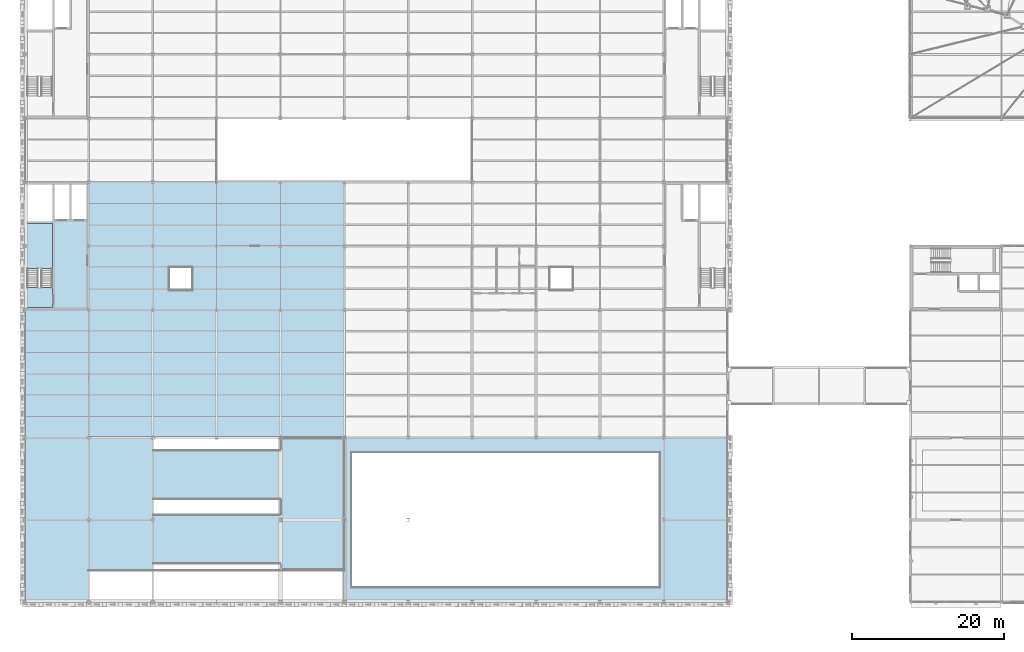
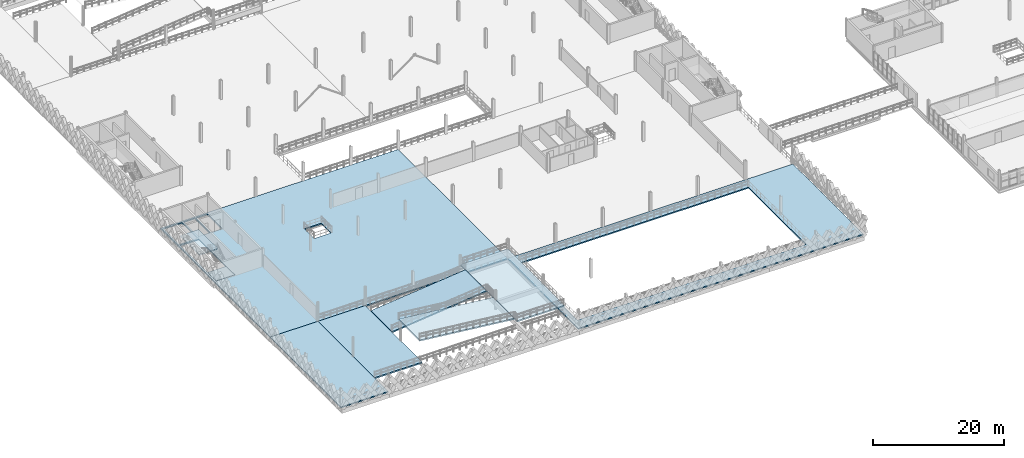
# One storey, part 65 of 101: 9 slabs, 1 element without a shape of its own.
"""IFC4 building model written with IfcOpenShell, lengths in metres."""

from ifc_helpers import new_model, si_unit, direction, frame, origin, place, context, subcontext, project, spatial, polyline, outline, extrude, material, layer, layer_set, type_object, element, aggregate, save


model = new_model("IFC4")

# Units and contexts
model_context = context("Model", 3, precision=1e-05, world=origin(), true_north=direction((0.0, 1.0)))
body_context = subcontext(model_context, "Body", "Model", "MODEL_VIEW")
ifc_project = project(units=[si_unit("LENGTHUNIT", "METRE"), si_unit("AREAUNIT", "SQUARE_METRE"), si_unit("VOLUMEUNIT", "CUBIC_METRE"), si_unit("PLANEANGLEUNIT", "RADIAN"), si_unit("MASSUNIT", "GRAM", prefix="KILO"), si_unit("THERMODYNAMICTEMPERATUREUNIT", "KELVIN"), si_unit("POWERUNIT", "WATT")], contexts=[model_context])

# Site, building, storey
site_placement = place(None, origin())
site = spatial("IfcSite", under=ifc_project, at=site_placement, CompositionType="ELEMENT")
building_placement = place(site_placement, origin())
building = spatial("IfcBuilding", under=site, at=building_placement, Name="Tembeka Court Mobility Hub", CompositionType="ELEMENT")
storey_placement = place(building_placement, frame((0.0, 0.0, 5.39990234375)))
storey = spatial("IfcBuildingStorey", under=building, at=storey_placement, Name="L01", CompositionType="ELEMENT", Elevation=5.39990234375)

# Slabs
ifc_material = material(Name="Concrete C40/50", Category="concrete")
ifc_layer_1 = layer(ifc_material, 0.219970703125)
ifc_layer_set_1 = layer_set([ifc_layer_1], Name="Concrete C40/50")
slab_type_1 = type_object("IfcSlabType", Name="SL-FL02", PredefinedType="FLOOR", material=ifc_layer_set_1)
slab_1_placement = place(storey_placement, frame((0.0, 0.0, -0.219970703125)))
element("IfcSlab", 1, at=slab_1_placement, inside=storey, type_object=slab_type_1, Name="L01 ramped EV parking deck (V1SW)", PredefinedType="FLOOR", context=body_context, shape_type="SweptSolid", body=[
    extrude(outline(polyline([(0.0, 21.60009765625), (42.0, 21.60009765625), (42.0, 55.199951171875), (0.0, 55.199951171875), (0.0, 21.60009765625)]), holes=[polyline([(0.300048828125, 49.75), (3.60009765625, 49.75), (3.60009765625, 38.699951171875), (0.300048828125, 38.699951171875), (0.300048828125, 49.75)]), polyline([(3.89990234375, 54.89990234375), (5.89990234375, 54.89990234375), (5.89990234375, 50.35009765625), (3.89990234375, 50.35009765625), (3.89990234375, 54.89990234375)]), polyline([(6.10009765625, 54.89990234375), (8.10009765625, 54.89990234375), (8.10009765625, 50.35009765625), (6.10009765625, 50.35009765625), (6.10009765625, 54.89990234375)]), polyline([(0.300048828125, 54.89990234375), (3.60009765625, 54.89990234375), (3.60009765625, 50.050048828125), (0.300048828125, 50.050048828125), (0.300048828125, 54.89990234375)]), polyline([(19.0, 44.0), (22.0, 44.0), (22.0, 41.0), (19.0, 41.0), (19.0, 44.0)])]), origin(), (0.0, 0.0, 1.0), 0.219970703125),
])
slab_2_placement = place(storey_placement, frame((0.0, 0.0, -0.219970703125)))
element("IfcSlab", 2, at=slab_2_placement, inside=storey, type_object=slab_type_1, Name="L01 South-West ramp perimeter deck", PredefinedType="FLOOR", context=body_context, shape_type="SweptSolid", body=[
    extrude(outline(polyline([(0.0, 0.0), (8.39990234375, 0.0), (8.39990234375, 21.60009765625), (0.0, 21.60009765625), (0.0, 0.0)])), origin(), (0.0, 0.0, 1.0), 0.219970703125),
])
slab_3_placement = place(storey_placement, frame((0.0, 0.0, -0.219970703125)))
element("IfcSlab", 3, at=slab_3_placement, inside=storey, type_object=slab_type_1, Name="L01 South-East EV deck", PredefinedType="FLOOR", context=body_context, shape_type="SweptSolid", body=[
    extrude(outline(polyline([(42.0, 0.0), (92.39990234375, 0.0), (92.39990234375, 21.60009765625), (42.0, 21.60009765625), (42.0, 0.0)]), holes=[polyline([(43.0, 19.60009765625), (83.39990234375, 19.60009765625), (83.39990234375, 2.0), (43.0, 2.0), (43.0, 19.60009765625)])]), origin(), (0.0, 0.0, 1.0), 0.219970703125),
])
ifc_layer_2 = layer(ifc_material, 0.199951171875)
ifc_layer_set_2 = layer_set([ifc_layer_2], Name="Concrete C40/50")
slab_type_2 = type_object("IfcSlabType", Name="SL-LD01", PredefinedType="LANDING", material=ifc_layer_set_2)
slab_4_placement = place(storey_placement, frame((0.0, 0.0, -0.25)))
element("IfcSlab", 4, at=slab_4_placement, inside=storey, type_object=slab_type_2, Name="Car park vehicle ramp South R2 L01 west landing", PredefinedType="LANDING", context=body_context, shape_type="SweptSolid", body=[
    extrude(outline(polyline([(8.39990234375, 4.199951171875), (16.800048828125, 4.199951171875), (16.800048828125, 21.60009765625), (8.39990234375, 21.60009765625), (8.39990234375, 4.199951171875)])), origin(), (0.0, 0.0, 1.0), 0.25),
])
slab_5_placement = place(storey_placement, frame((0.0, 0.0, 1.550048828125)))
element("IfcSlab", 5, at=slab_5_placement, inside=storey, type_object=slab_type_2, Name="Car park vehicle ramp South R2 L01 half landing", PredefinedType="LANDING", context=body_context, shape_type="SweptSolid", body=[
    extrude(outline(polyline([(33.60009765625, 4.199951171875), (42.0, 4.199951171875), (42.0, 21.60009765625), (33.60009765625, 21.60009765625), (33.60009765625, 4.199951171875)])), origin(), (0.0, 0.0, 1.0), 0.25),
])
slab_6_placement = place(storey_placement, frame((0.0, 0.0, -0.25)))
element("IfcSlab", 6, at=slab_6_placement, inside=storey, type_object=slab_type_2, Name="Stair ST01 L01 floor landing slab", PredefinedType="LANDING", context=body_context, shape_type="SweptSolid", body=[
    extrude(outline(polyline([(0.300048828125, 38.699951171875), (3.60009765625, 38.699951171875), (3.60009765625, 41.35009765625), (0.300048828125, 41.35009765625), (0.300048828125, 38.699951171875)])), origin(), (0.0, 0.0, 1.0), 0.25),
])

# Stair, slab
stair_type = type_object("IfcStairType", Name="STR-ST01L01", PredefinedType="HALF_TURN_STAIR", material=ifc_material)
stair_placement = place(storey_placement, origin())
stair = element("IfcStair", 7, at=stair_placement, inside=storey, type_object=stair_type, Name="Protected exit stair ST01 (L01)", PredefinedType="HALF_TURN_STAIR")
slab_7_placement = place(storey_placement, frame((0.0, 0.0, 1.60009765625)))
slab_7 = element("IfcSlab", 8, at=slab_7_placement, type_object=slab_type_2, Name="ST01L01 landing 1", PredefinedType="LANDING", context=body_context, shape_type="SweptSolid", body=[
    extrude(outline(polyline([(3.60009765625, 43.8701171875), (3.60009765625, 49.75), (0.300048828125, 49.75), (0.300048828125, 43.8701171875), (3.60009765625, 43.8701171875)])), origin(), (0.0, 0.0, 1.0), 0.199951171875),
])
aggregate(stair, [slab_7])

# Slabs
ifc_layer_3 = layer(ifc_material, 0.235107421875)
ifc_layer_set_3 = layer_set([ifc_layer_3], Name="Concrete C40/50")
slab_type_3 = type_object("IfcSlabType", Name="SL-RP01", PredefinedType="FLOOR", material=ifc_layer_set_3)
slab_8_placement = place(storey_placement, frame((16.840087890625, 13.5, 0.0), z_axis=(-0.107040081036, 0.0, 0.994254706326), x_axis=(0.994254706326, 0.0, 0.107040081036)))
element("IfcSlab", 9, at=slab_8_placement, inside=storey, type_object=slab_type_3, Name="Car park vehicle ramp South R2 L01 structural ramp slab 1", PredefinedType="FLOOR", context=body_context, shape_type="SweptSolid", body=[
    extrude(outline(polyline([(0.0, 0.0), (16.816586933649543, 0.0), (16.816586933649543, 6.5), (0.0, 6.5), (0.0, 0.0)])), origin(), (0.0, 0.0, -1.0), 0.235107421875),
])
slab_9_placement = place(storey_placement, frame((33.56005859375, 5.0, 1.800048828125), z_axis=(0.107040081036, 0.0, 0.994254706326), x_axis=(-0.994254706326, 0.0, 0.107040081036)))
element("IfcSlab", 10, at=slab_9_placement, inside=storey, type_object=slab_type_3, Name="Car park vehicle ramp South R2 L01 structural ramp slab 2", PredefinedType="FLOOR", context=body_context, shape_type="SweptSolid", body=[
    extrude(outline(polyline([(0.0, 0.0), (16.816586933649543, 0.0), (16.816586933649543, -6.5), (0.0, -6.5), (0.0, 0.0)])), origin(), (0.0, 0.0, -1.0), 0.235107421875),
])

save(model, "model.ifc")
